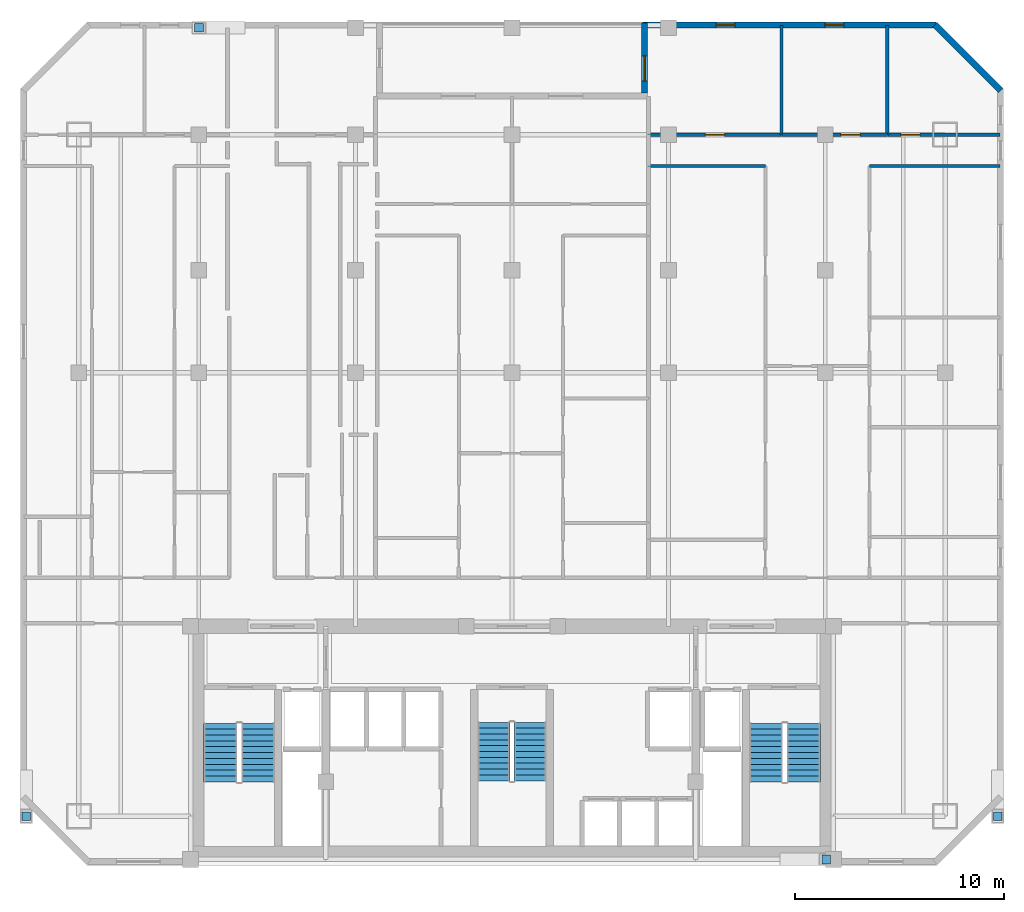
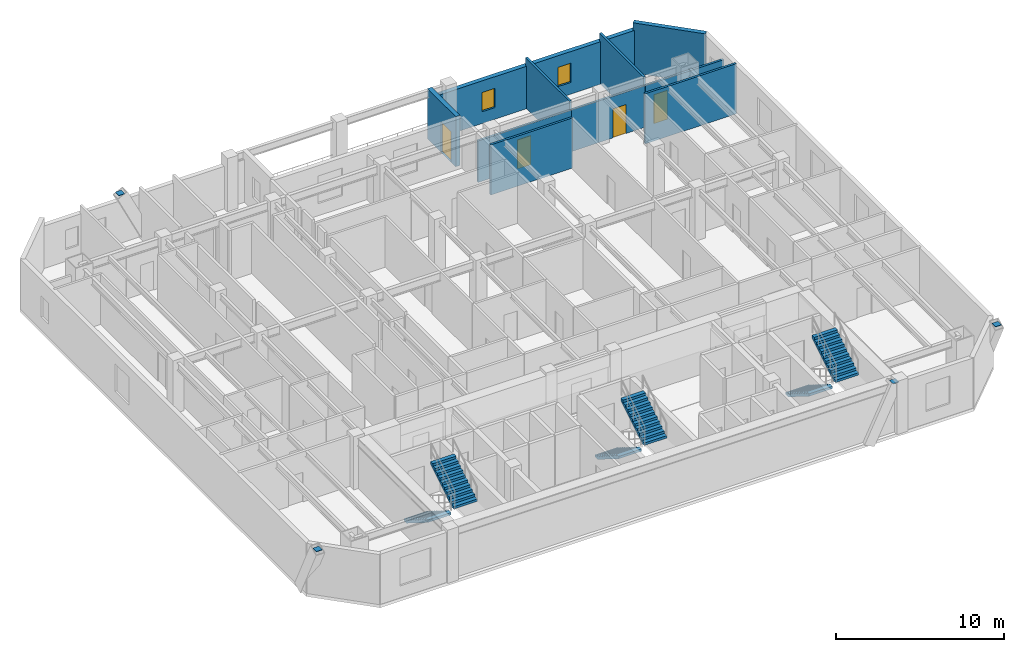
# One storey, part 7 of 8: 10 walls, 6 stair flights, 4 discrete accessories, 4 doors, 2 windows, 6 openings, 3 elements without a shape of their own.
"""IFC4 building model written with IfcOpenShell, lengths in metres."""

from ifc_helpers import new_model, si_unit, direction, frame, frame_2d, origin, origin_2d, place, context, subcontext, project, spatial, polyline, rectangle, outline, extrude, material, layer, layer_set, type_object, element, fill, aggregate, save


model = new_model("IFC4")

# Units and contexts
model_context = context("Model", 3, precision=1e-05, world=origin(), true_north=direction((0.0, 1.0)))
body_context = subcontext(model_context, "Body", "Model", "MODEL_VIEW")
ifc_project = project(units=[si_unit("LENGTHUNIT", "METRE"), si_unit("AREAUNIT", "SQUARE_METRE"), si_unit("VOLUMEUNIT", "CUBIC_METRE"), si_unit("PLANEANGLEUNIT", "RADIAN"), si_unit("MASSUNIT", "GRAM", prefix="KILO")], contexts=[model_context])

# Site, building, storey
site_placement = place(None, origin())
site = spatial("IfcSite", under=ifc_project, at=site_placement, CompositionType="ELEMENT")
building_placement = place(site_placement, origin())
building = spatial("IfcBuilding", under=site, at=building_placement, Name="Ventersveld Concourse Tower", CompositionType="ELEMENT")
storey_placement = place(building_placement, frame((0.0, 0.0, 183.699951171875)))
storey = spatial("IfcBuildingStorey", under=building, at=storey_placement, Name="L45", CompositionType="ELEMENT", Elevation=183.699951171875)

# Walls
ifc_material_1 = material(Name="Autoclaved aerated masonry blockwork", Category="masonry")
ifc_layer_1 = layer(ifc_material_1, 0.14990234375)
ifc_layer_set_1 = layer_set([ifc_layer_1], Name="Autoclaved aerated masonry blockwork")
wall_type_1 = type_object("IfcWallType", Name="WL-INT-150", PredefinedType="PARTITIONING", material=ifc_layer_set_1)
wall_1_placement = place(storey_placement, frame((35.284912109375, 33.5, 0.0), z_axis=(0.0, 0.0, 1.0), x_axis=(1.0, 0.0, 0.0)))
element("IfcWall", 1, at=wall_1_placement, inside=storey, type_object=wall_type_1, Name="L45 Interior Partition SP-L45-45CE-LIV-SP-L45-45CE-MEDL0", PredefinedType="PARTITIONING", context=body_context, shape_type="SweptSolid", body=[
    extrude(rectangle(XDim=5.610107421875, YDim=0.14990234375, at=frame_2d((2.80517578125, 0.0))), origin(), (0.0, 0.0, 1.0), 3.630126953125),
])
wall_2_placement = place(storey_placement, frame((45.864990234375, 33.5, 0.0), z_axis=(0.0, 0.0, 1.0), x_axis=(1.0, 0.0, 0.0)))
element("IfcWall", 2, at=wall_2_placement, inside=storey, type_object=wall_type_1, Name="L45 Interior Partition SP-L45-45CE-LIV-SP-L45-45CE-DENS2", PredefinedType="PARTITIONING", context=body_context, shape_type="SweptSolid", body=[
    extrude(rectangle(XDim=6.262451171875, YDim=0.14990234375, at=frame_2d((3.13134765625, 0.0))), origin(), (0.0, 0.0, 1.0), 3.630126953125),
])

# Wall, opening, door
wall_3_placement = place(storey_placement, frame((35.284912109375, 35.0, 0.0), z_axis=(0.0, 0.0, 1.0), x_axis=(1.0, 0.0, 0.0)))
wall_3 = element("IfcWall", 3, at=wall_3_placement, inside=storey, type_object=wall_type_1, Name="L45 Interior Partition SP-L45-45CE-LIV-SP-L45-45CE-BR1", PredefinedType="PARTITIONING", context=body_context, shape_type="SweptSolid", body=[
    extrude(rectangle(XDim=6.380859375, YDim=0.14990234375, at=frame_2d((3.1904296875, 0.0))), origin(), (0.0, 0.0, 1.0), 3.012939453125),
])
opening_1_placement = place(wall_3_placement, frame((2.73046875, 0.0, 0.0)))
opening_1 = element("IfcOpeningElement", 4, at=opening_1_placement, cuts=wall_3, Name="Opening ID1", PredefinedType="OPENING", context=body_context, shape_type="SweptSolid", body=[
    extrude(rectangle(XDim=0.919921875, YDim=2.10009765625, at=frame_2d((0.4599609375, 1.050048828125))), frame((0.0, 0.0849609375, 0.0), z_axis=(0.0, -1.0, 0.0), x_axis=(1.0, 0.0, 0.0)), (0.0, 0.0, 1.0), 0.169921875),
])
ifc_material_2 = material(Name="Solid-core hardwood veneer timber", Category="wood")
door_type_1 = type_object("IfcDoorType", Name="DR-ROOM-092", OperationType="NOTDEFINED", PredefinedType="DOOR", material=ifc_material_2)
door_1_placement = place(opening_1_placement, origin())
door_1 = element("IfcDoor", 5, at=door_1_placement, inside=storey, type_object=door_type_1, Name="L45 Interior Door SP-L45-45CE-LIV to SP-L45-45CE-BR1 (D-L45-2228)", OperationType="SINGLE_SWING_RIGHT", OverallHeight=2.10009765625, OverallWidth=0.919921875, PredefinedType="DOOR", context=body_context, shape_type="SweptSolid", body=[
    extrude(rectangle(XDim=0.919921875, YDim=2.10009765625, at=frame_2d((0.4599609375, 1.050048828125))), frame((0.0, 0.02490234375, 0.0), z_axis=(0.0, -1.0, 0.0), x_axis=(1.0, 0.0, 0.0)), (0.0, 0.0, 1.0), 0.050048828125),
])
fill(opening_1, door_1)

wall_4_placement = place(storey_placement, frame((41.69580078125, 35.0, 0.0), z_axis=(0.0, 0.0, 1.0), x_axis=(1.0, 0.0, 0.0)))
wall_4 = element("IfcWall", 6, at=wall_4_placement, inside=storey, type_object=wall_type_1, Name="L45 Interior Partition SP-L45-45CE-LIV-SP-L45-45CE-BR2", PredefinedType="PARTITIONING", context=body_context, shape_type="SweptSolid", body=[
    extrude(rectangle(XDim=5.03759765625, YDim=0.14990234375, at=frame_2d((2.518798828125, 0.0))), origin(), (0.0, 0.0, 1.0), 3.012939453125),
])
opening_2_placement = place(wall_4_placement, frame((2.814453125, 0.0, 0.0)))
opening_2 = element("IfcOpeningElement", 7, at=opening_2_placement, cuts=wall_4, Name="Opening ID1", PredefinedType="OPENING", context=body_context, shape_type="SweptSolid", body=[
    extrude(rectangle(XDim=0.919921875, YDim=2.10009765625, at=frame_2d((0.4599609375, 1.050048828125))), frame((0.0, 0.0849609375, 0.0), z_axis=(0.0, -1.0, 0.0), x_axis=(1.0, 0.0, 0.0)), (0.0, 0.0, 1.0), 0.169921875),
])
door_2_placement = place(opening_2_placement, origin())
door_2 = element("IfcDoor", 8, at=door_2_placement, inside=storey, type_object=door_type_1, Name="L45 Interior Door SP-L45-45CE-LIV to SP-L45-45CE-BR2 (D-L45-2229)", OperationType="SINGLE_SWING_LEFT", OverallHeight=2.10009765625, OverallWidth=0.919921875, PredefinedType="DOOR", context=body_context, shape_type="SweptSolid", body=[
    extrude(rectangle(XDim=0.919921875, YDim=2.10009765625, at=frame_2d((0.4599609375, 1.050048828125))), frame((0.0, 0.02490234375, 0.0), z_axis=(0.0, -1.0, 0.0), x_axis=(1.0, 0.0, 0.0)), (0.0, 0.0, 1.0), 0.050048828125),
])
fill(opening_2, door_2)

wall_5_placement = place(storey_placement, frame((46.76318359375, 35.0, 0.0), z_axis=(0.0, 0.0, 1.0), x_axis=(1.0, 0.0, 0.0)))
wall_5 = element("IfcWall", 9, at=wall_5_placement, inside=storey, type_object=wall_type_1, Name="L45 Interior Partition SP-L45-45CE-LIV-SP-L45-45CE-BR3", PredefinedType="PARTITIONING", context=body_context, shape_type="SweptSolid", body=[
    extrude(rectangle(XDim=5.3642578125, YDim=0.14990234375, at=frame_2d((2.68212890625, 0.0))), origin(), (0.0, 0.0, 1.0), 3.012939453125),
])
opening_3_placement = place(wall_5_placement, frame((0.61279296875, 0.0, 0.0)))
opening_3 = element("IfcOpeningElement", 10, at=opening_3_placement, cuts=wall_5, Name="Opening ID1", PredefinedType="OPENING", context=body_context, shape_type="SweptSolid", body=[
    extrude(rectangle(XDim=0.919921875, YDim=2.10009765625, at=frame_2d((0.4599609375, 1.050048828125))), frame((0.0, 0.0849609375, 0.0), z_axis=(0.0, -1.0, 0.0), x_axis=(1.0, 0.0, 0.0)), (0.0, 0.0, 1.0), 0.169921875),
])
door_3_placement = place(opening_3_placement, origin())
door_3 = element("IfcDoor", 11, at=door_3_placement, inside=storey, type_object=door_type_1, Name="L45 Interior Door SP-L45-45CE-LIV to SP-L45-45CE-BR3 (D-L45-2230)", OperationType="SINGLE_SWING_RIGHT", OverallHeight=2.10009765625, OverallWidth=0.919921875, PredefinedType="DOOR", context=body_context, shape_type="SweptSolid", body=[
    extrude(rectangle(XDim=0.919921875, YDim=2.10009765625, at=frame_2d((0.4599609375, 1.050048828125))), frame((0.0, 0.02490234375, 0.0), z_axis=(0.0, -1.0, 0.0), x_axis=(1.0, 0.0, 0.0)), (0.0, 0.0, 1.0), 0.050048828125),
])
fill(opening_3, door_3)

# Walls
for number, where, z_axis, x_axis, name in (
    (12, (41.660888671875, 34.9951171875, 0.0), (0.0, 0.0, 1.0), (0.0, 1.0, 0.0), "L45 Interior Partition SP-L45-45CE-BR1-SP-L45-45CE-BR2"),
    (13, (46.728271484375, 34.9951171875, 0.0), (0.0, 0.0, 1.0), (0.0, 1.0, 0.0), "L45 Interior Partition SP-L45-45CE-BR2-SP-L45-45CE-BR3"),
):
    element("IfcWall", number, at=place(storey_placement, frame(where, z_axis=z_axis, x_axis=x_axis)), inside=storey, type_object=wall_type_1, Name=name, PredefinedType="PARTITIONING", context=body_context, shape_type="SweptSolid", body=[
        extrude(rectangle(XDim=5.232421875, YDim=0.14990234375, at=frame_2d((2.6162109375, 0.0))), origin(), (0.0, 0.0, 1.0), 3.630126953125),
    ])
ifc_material_3 = material(Name="Precast concrete C45/55", Category="concrete")
ifc_layer_2 = layer(ifc_material_3, 0.300048828125)
ifc_layer_set_2 = layer_set([ifc_layer_2], Name="Precast concrete C45/55")
wall_type_2 = type_object("IfcWallType", Name="WL-PREC-300", PredefinedType="SOLIDWALL", material=ifc_layer_set_2)
wall_6_placement = place(storey_placement, frame((52.16552734375, 37.122314453125, 0.0), z_axis=(0.0, 0.0, 1.0), x_axis=(-0.707106781187, 0.707106781187, 0.0)))
element("IfcWall", 14, at=wall_6_placement, inside=storey, type_object=wall_type_2, Name="L45 Highveld Precast Facade Wall E04", PredefinedType="SOLIDWALL", context=body_context, shape_type="SweptSolid", body=[
    extrude(rectangle(XDim=4.4453125, YDim=0.300048828125, at=frame_2d((2.22265625, 0.0))), origin(), (0.0, 0.0, 1.0), 3.630126953125),
])

# Wall, openings, windows
wall_7_placement = place(storey_placement, frame((49.06005859375, 40.25, 0.0), z_axis=(0.0, 0.0, 1.0), x_axis=(-1.0, 0.0, 0.0)))
wall_7 = element("IfcWall", 15, at=wall_7_placement, inside=storey, type_object=wall_type_2, Name="L45 Highveld Precast Facade Wall E05", PredefinedType="SOLIDWALL", context=body_context, shape_type="SweptSolid", body=[
    extrude(rectangle(XDim=14.070068359375, YDim=0.300048828125, at=frame_2d((7.03515625, 0.0))), origin(), (0.0, 0.0, 1.0), 3.08544921875),
])
opening_4_placement = place(wall_7_placement, frame((9.62841796875, 0.0, 0.85009765625)))
opening_4 = element("IfcOpeningElement", 16, at=opening_4_placement, cuts=wall_7, Name="Opening W8", PredefinedType="OPENING", context=body_context, shape_type="SweptSolid", body=[
    extrude(rectangle(XDim=0.89990234375, YDim=1.39990234375, at=frame_2d((0.449951171875, 0.699951171875))), frame((0.0, 0.16015625, 0.0), z_axis=(0.0, -1.0, 0.0), x_axis=(1.0, 0.0, 0.0)), (0.0, 0.0, 1.0), 0.320068359375),
])
opening_5_placement = place(wall_7_placement, frame((4.41552734375, 0.0, 0.85009765625)))
opening_5 = element("IfcOpeningElement", 17, at=opening_5_placement, cuts=wall_7, Name="Opening W8", PredefinedType="OPENING", context=body_context, shape_type="SweptSolid", body=[
    extrude(rectangle(XDim=0.89990234375, YDim=1.39990234375, at=frame_2d((0.449951171875, 0.699951171875))), frame((0.0, 0.16015625, 0.0), z_axis=(0.0, -1.0, 0.0), x_axis=(1.0, 0.0, 0.0)), (0.0, 0.0, 1.0), 0.320068359375),
])
ifc_material_4 = material(Name="Tempered acoustic Low-E IGU", Category="glass")
window_type = type_object("IfcWindowType", Name="WIN-090x140", PartitioningType="SINGLE_PANEL", PredefinedType="WINDOW", material=ifc_material_4)
window_1_placement = place(opening_4_placement, origin())
window_1 = element("IfcWindow", 18, at=window_1_placement, inside=storey, type_object=window_type, Name="L45 Punched Low-E Window W-0631", OverallHeight=1.39990234375, OverallWidth=0.89990234375, PartitioningType="SINGLE_PANEL", PredefinedType="WINDOW", context=body_context, shape_type="SweptSolid", body=[
    extrude(rectangle(XDim=0.89990234375, YDim=1.39990234375, at=frame_2d((0.449951171875, 0.699951171875))), frame((0.0, 0.030029296875, 0.0), z_axis=(0.0, -1.0, 0.0), x_axis=(1.0, 0.0, 0.0)), (0.0, 0.0, 1.0), 0.06005859375),
])
fill(opening_4, window_1)
window_2_placement = place(opening_5_placement, origin())
window_2 = element("IfcWindow", 19, at=window_2_placement, inside=storey, type_object=window_type, Name="L45 Punched Low-E Window W-0632", OverallHeight=1.39990234375, OverallWidth=0.89990234375, PartitioningType="SINGLE_PANEL", PredefinedType="WINDOW", context=body_context, shape_type="SweptSolid", body=[
    extrude(rectangle(XDim=0.89990234375, YDim=1.39990234375, at=frame_2d((0.449951171875, 0.699951171875))), frame((0.0, 0.030029296875, 0.0), z_axis=(0.0, -1.0, 0.0), x_axis=(1.0, 0.0, 0.0)), (0.0, 0.0, 1.0), 0.06005859375),
])
fill(opening_5, window_2)

# Wall, opening, door
wall_8_placement = place(storey_placement, frame((35.10009765625, 40.360107421875, 0.0), z_axis=(0.0, 0.0, 1.0), x_axis=(0.0, -1.0, 0.0)))
wall_8 = element("IfcWall", 20, at=wall_8_placement, inside=storey, type_object=wall_type_2, Name="L45 Highveld Precast Facade Wall E06", PredefinedType="SOLIDWALL", context=body_context, shape_type="SweptSolid", body=[
    extrude(rectangle(XDim=3.360107421875, YDim=0.300048828125, at=frame_2d((1.68017578125, 0.0))), origin(), (0.0, 0.0, 1.0), 3.630126953125),
])
opening_6_placement = place(wall_8_placement, frame((1.583984375, 0.0, 0.0)))
opening_6 = element("IfcOpeningElement", 21, at=opening_6_placement, cuts=wall_8, Name="Opening TD1", PredefinedType="OPENING", context=body_context, shape_type="SweptSolid", body=[
    extrude(rectangle(XDim=1.199951171875, YDim=2.199951171875, at=frame_2d((0.60009765625, 1.10009765625))), frame((0.0, 0.16015625, 0.0), z_axis=(0.0, -1.0, 0.0), x_axis=(1.0, 0.0, 0.0)), (0.0, 0.0, 1.0), 0.320068359375),
])
ifc_material_5 = material(Name="Anodised aluminium EN AW-6063-T6", Category="aluminium")
door_type_2 = type_object("IfcDoorType", Name="DR-TERR-120", OperationType="NOTDEFINED", PredefinedType="DOOR", material=ifc_material_5)
door_4_placement = place(opening_6_placement, frame((1.199951171875, 0.0, 0.0), z_axis=(0.0, 0.0, 1.0), x_axis=(-1.0, 0.0, 0.0)))
door_4 = element("IfcDoor", 22, at=door_4_placement, inside=storey, type_object=door_type_2, Name="L45 Stepped Valley Terrace Door TD-L45-01", OperationType="SINGLE_SWING_RIGHT", OverallHeight=2.199951171875, OverallWidth=1.199951171875, PredefinedType="DOOR", context=body_context, shape_type="SweptSolid", body=[
    extrude(rectangle(XDim=1.199951171875, YDim=2.199951171875, at=frame_2d((0.60009765625, 1.10009765625))), frame((0.0, 0.02490234375, 0.0), z_axis=(0.0, -1.0, 0.0), x_axis=(1.0, 0.0, 0.0)), (0.0, 0.0, 1.0), 0.050048828125),
])
fill(opening_6, door_4)

# Stair, stair flights
ifc_material_6 = material(Name="Concrete C50/60", Category="concrete")
stair_type_1 = type_object("IfcStairType", Name="ST-DOG-155", PredefinedType="HALF_TURN_STAIR", material=ifc_material_6)
stair_1_placement = place(storey_placement, origin())
stair_1 = element("IfcStair", 23, at=stair_1_placement, inside=storey, type_object=stair_type_1, Name="L45 Protected Central Core Escape Stair ST-03", PredefinedType="HALF_TURN_STAIR")
stair_flight_type_1 = type_object("IfcStairFlightType", Name="STF-RC-155", PredefinedType="STRAIGHT", material=ifc_material_6)
stair_flight_1_placement = place(storey_placement, frame((27.875, 6.85009765625, 0.0), z_axis=(0.0, 0.0, 1.0), x_axis=(0.0, -1.0, 0.0)))
stair_flight_1 = element("IfcStairFlight", 24, at=stair_flight_1_placement, type_object=stair_flight_type_1, Name="ST-03 flight 1", NumberOfRisers=11, NumberOfTreads=10, PredefinedType="STRAIGHT", RiserHeight=0.175, TreadLength=0.28, context=body_context, shape_type="SweptSolid", body=[
    extrude(outline(polyline([(0.0, 0.0), (0.0, 0.175048828125), (0.280029296875, 0.175048828125), (0.280029296875, 0.35009765625), (0.56005859375, 0.35009765625), (0.56005859375, 0.52490234375), (0.840087890625, 0.52490234375), (0.840087890625, 0.699951171875), (1.1201171875, 0.699951171875), (1.1201171875, 0.875), (1.39990234375, 0.875), (1.39990234375, 1.050048828125), (1.679931640625, 1.050048828125), (1.679931640625, 1.22509765625), (1.9599609375, 1.22509765625), (1.9599609375, 1.39990234375), (2.239990234375, 1.39990234375), (2.239990234375, 1.574951171875), (2.52001953125, 1.574951171875), (2.52001953125, 1.75), (2.800048828125, 1.75), (2.800048828125, 1.925048828125), (2.800048828125, 1.5732421875), (0.28271484375, 0.0), (0.0, 0.0)])), frame((0.0, 0.77490234375, 0.0), z_axis=(0.0, -1.0, 0.0), x_axis=(1.0, 0.0, 0.0)), (0.0, 0.0, 1.0), 1.550048828125),
])
stair_flight_2_placement = place(storey_placement, frame((29.625, 4.050048828125, 1.925048828125), z_axis=(0.0, 0.0, 1.0), x_axis=(0.0, 1.0, 0.0)))
stair_flight_2 = element("IfcStairFlight", 25, at=stair_flight_2_placement, type_object=stair_flight_type_1, Name="ST-03 flight 2", NumberOfRisers=11, NumberOfTreads=10, PredefinedType="STRAIGHT", RiserHeight=0.175, TreadLength=0.28, context=body_context, shape_type="SweptSolid", body=[
    extrude(outline(polyline([(0.0, 0.0), (0.0, 0.175048828125), (0.280029296875, 0.175048828125), (0.280029296875, 0.35009765625), (0.56005859375, 0.35009765625), (0.56005859375, 0.52490234375), (0.840087890625, 0.52490234375), (0.840087890625, 0.699951171875), (1.1201171875, 0.699951171875), (1.1201171875, 0.875), (1.39990234375, 0.875), (1.39990234375, 1.050048828125), (1.679931640625, 1.050048828125), (1.679931640625, 1.22509765625), (1.9599609375, 1.22509765625), (1.9599609375, 1.39990234375), (2.239990234375, 1.39990234375), (2.239990234375, 1.574951171875), (2.52001953125, 1.574951171875), (2.52001953125, 1.75), (2.800048828125, 1.75), (2.800048828125, 1.925048828125), (2.800048828125, 1.5732421875), (0.28271484375, 0.0), (0.0, 0.0)])), frame((0.0, 0.77490234375, 0.0), z_axis=(0.0, -1.0, 0.0), x_axis=(1.0, 0.0, 0.0)), (0.0, 0.0, 1.0), 1.550048828125),
])
aggregate(stair_1, [stair_flight_1, stair_flight_2])

stair_type_2 = type_object("IfcStairType", Name="ST-DOG-160", PredefinedType="HALF_TURN_STAIR", material=ifc_material_6)
stair_2_placement = place(storey_placement, origin())
stair_2 = element("IfcStair", 26, at=stair_2_placement, inside=storey, type_object=stair_type_2, Name="L45 Protected Tower Escape Stair ST-01", PredefinedType="HALF_TURN_STAIR")
stair_flight_type_2 = type_object("IfcStairFlightType", Name="STF-RC-160", PredefinedType="STRAIGHT", material=ifc_material_6)
stair_flight_3_placement = place(storey_placement, frame((14.780029296875, 6.800048828125, 0.0), z_axis=(0.0, 0.0, 1.0), x_axis=(0.0, -1.0, 0.0)))
stair_flight_3 = element("IfcStairFlight", 27, at=stair_flight_3_placement, type_object=stair_flight_type_2, Name="ST-01 flight 1", NumberOfRisers=11, NumberOfTreads=10, PredefinedType="STRAIGHT", RiserHeight=0.175, TreadLength=0.28, context=body_context, shape_type="SweptSolid", body=[
    extrude(outline(polyline([(0.0, 0.0), (0.0, 0.175048828125), (0.280029296875, 0.175048828125), (0.280029296875, 0.35009765625), (0.56005859375, 0.35009765625), (0.56005859375, 0.52490234375), (0.840087890625, 0.52490234375), (0.840087890625, 0.699951171875), (1.1201171875, 0.699951171875), (1.1201171875, 0.875), (1.39990234375, 0.875), (1.39990234375, 1.050048828125), (1.679931640625, 1.050048828125), (1.679931640625, 1.22509765625), (1.9599609375, 1.22509765625), (1.9599609375, 1.39990234375), (2.239990234375, 1.39990234375), (2.239990234375, 1.574951171875), (2.52001953125, 1.574951171875), (2.52001953125, 1.75), (2.800048828125, 1.75), (2.800048828125, 1.925048828125), (2.800048828125, 1.5732421875), (0.28271484375, 0.0), (0.0, 0.0)])), frame((0.0, 0.800048828125, 0.0), z_axis=(0.0, -1.0, 0.0), x_axis=(1.0, 0.0, 0.0)), (0.0, 0.0, 1.0), 1.60009765625),
])
stair_flight_4_placement = place(storey_placement, frame((16.580078125, 4.0, 1.925048828125), z_axis=(0.0, 0.0, 1.0), x_axis=(0.0, 1.0, 0.0)))
stair_flight_4 = element("IfcStairFlight", 28, at=stair_flight_4_placement, type_object=stair_flight_type_2, Name="ST-01 flight 2", NumberOfRisers=11, NumberOfTreads=10, PredefinedType="STRAIGHT", RiserHeight=0.175, TreadLength=0.28, context=body_context, shape_type="SweptSolid", body=[
    extrude(outline(polyline([(0.0, 0.0), (0.0, 0.175048828125), (0.280029296875, 0.175048828125), (0.280029296875, 0.35009765625), (0.56005859375, 0.35009765625), (0.56005859375, 0.52490234375), (0.840087890625, 0.52490234375), (0.840087890625, 0.699951171875), (1.1201171875, 0.699951171875), (1.1201171875, 0.875), (1.39990234375, 0.875), (1.39990234375, 1.050048828125), (1.679931640625, 1.050048828125), (1.679931640625, 1.22509765625), (1.9599609375, 1.22509765625), (1.9599609375, 1.39990234375), (2.239990234375, 1.39990234375), (2.239990234375, 1.574951171875), (2.52001953125, 1.574951171875), (2.52001953125, 1.75), (2.800048828125, 1.75), (2.800048828125, 1.925048828125), (2.800048828125, 1.5732421875), (0.28271484375, 0.0), (0.0, 0.0)])), frame((0.0, 0.800048828125, 0.0), z_axis=(0.0, -1.0, 0.0), x_axis=(1.0, 0.0, 0.0)), (0.0, 0.0, 1.0), 1.60009765625),
])
aggregate(stair_2, [stair_flight_3, stair_flight_4])

stair_3_placement = place(storey_placement, origin())
stair_3 = element("IfcStair", 29, at=stair_3_placement, inside=storey, type_object=stair_type_2, Name="L45 Protected Tower Escape Stair ST-02", PredefinedType="HALF_TURN_STAIR")
stair_flight_5_placement = place(storey_placement, frame((40.919921875, 6.800048828125, 0.0), z_axis=(0.0, 0.0, 1.0), x_axis=(0.0, -1.0, 0.0)))
stair_flight_5 = element("IfcStairFlight", 30, at=stair_flight_5_placement, type_object=stair_flight_type_2, Name="ST-02 flight 1", NumberOfRisers=11, NumberOfTreads=10, PredefinedType="STRAIGHT", RiserHeight=0.175, TreadLength=0.28, context=body_context, shape_type="SweptSolid", body=[
    extrude(outline(polyline([(0.0, 0.0), (0.0, 0.175048828125), (0.280029296875, 0.175048828125), (0.280029296875, 0.35009765625), (0.56005859375, 0.35009765625), (0.56005859375, 0.52490234375), (0.840087890625, 0.52490234375), (0.840087890625, 0.699951171875), (1.1201171875, 0.699951171875), (1.1201171875, 0.875), (1.39990234375, 0.875), (1.39990234375, 1.050048828125), (1.679931640625, 1.050048828125), (1.679931640625, 1.22509765625), (1.9599609375, 1.22509765625), (1.9599609375, 1.39990234375), (2.239990234375, 1.39990234375), (2.239990234375, 1.574951171875), (2.52001953125, 1.574951171875), (2.52001953125, 1.75), (2.800048828125, 1.75), (2.800048828125, 1.925048828125), (2.800048828125, 1.5732421875), (0.28271484375, 0.0), (0.0, 0.0)])), frame((0.0, 0.800048828125, 0.0), z_axis=(0.0, -1.0, 0.0), x_axis=(1.0, 0.0, 0.0)), (0.0, 0.0, 1.0), 1.60009765625),
])
stair_flight_6_placement = place(storey_placement, frame((42.719970703125, 4.0, 1.925048828125), z_axis=(0.0, 0.0, 1.0), x_axis=(0.0, 1.0, 0.0)))
stair_flight_6 = element("IfcStairFlight", 31, at=stair_flight_6_placement, type_object=stair_flight_type_2, Name="ST-02 flight 2", NumberOfRisers=11, NumberOfTreads=10, PredefinedType="STRAIGHT", RiserHeight=0.175, TreadLength=0.28, context=body_context, shape_type="SweptSolid", body=[
    extrude(outline(polyline([(0.0, 0.0), (0.0, 0.175048828125), (0.280029296875, 0.175048828125), (0.280029296875, 0.35009765625), (0.56005859375, 0.35009765625), (0.56005859375, 0.52490234375), (0.840087890625, 0.52490234375), (0.840087890625, 0.699951171875), (1.1201171875, 0.699951171875), (1.1201171875, 0.875), (1.39990234375, 0.875), (1.39990234375, 1.050048828125), (1.679931640625, 1.050048828125), (1.679931640625, 1.22509765625), (1.9599609375, 1.22509765625), (1.9599609375, 1.39990234375), (2.239990234375, 1.39990234375), (2.239990234375, 1.574951171875), (2.52001953125, 1.574951171875), (2.52001953125, 1.75), (2.800048828125, 1.75), (2.800048828125, 1.925048828125), (2.800048828125, 1.5732421875), (0.28271484375, 0.0), (0.0, 0.0)])), frame((0.0, 0.800048828125, 0.0), z_axis=(0.0, -1.0, 0.0), x_axis=(1.0, 0.0, 0.0)), (0.0, 0.0, 1.0), 1.60009765625),
])
aggregate(stair_3, [stair_flight_5, stair_flight_6])

# Discrete accessories
ifc_material_7 = material(Name="Structural steel S355J2", Category="steel")
discrete_accessory_type = type_object("IfcDiscreteAccessoryType", Name="CONN-BRACE-ECP1", PredefinedType="BRACKET", material=ifc_material_7)
for number, where, z_axis, x_axis, name in (
    (32, (13.75, 40.1201171875, 3.610107421875), (0.0, 0.0, 1.0), (1.0, 0.0, 0.0), "L45 Steel Brace End Connection Plate ECP1-0355"),
    (33, (43.800048828125, 0.280029296875, 3.610107421875), (0.0, 0.0, 1.0), (1.0, 0.0, 0.0), "L45 Steel Brace End Connection Plate ECP1-0359"),
    (34, (5.47998046875, 2.35009765625, 3.610107421875), (0.0, 0.0, 1.0), (1.0, 0.0, 0.0), "L45 Steel Brace End Connection Plate ECP1-0363"),
    (35, (52.02001953125, 2.35009765625, 3.610107421875), (0.0, 0.0, 1.0), (1.0, 0.0, 0.0), "L45 Steel Brace End Connection Plate ECP1-0367"),
):
    element("IfcDiscreteAccessory", number, at=place(storey_placement, frame(where, z_axis=z_axis, x_axis=x_axis)), inside=storey, type_object=discrete_accessory_type, Name=name, PredefinedType="BRACKET", context=body_context, shape_type="SweptSolid", body=[
        extrude(rectangle(XDim=0.419921875, YDim=0.419921875, at=origin_2d()), origin(), (0.0, 0.0, 1.0), 0.0400390625),
    ])

save(model, "model.ifc")
